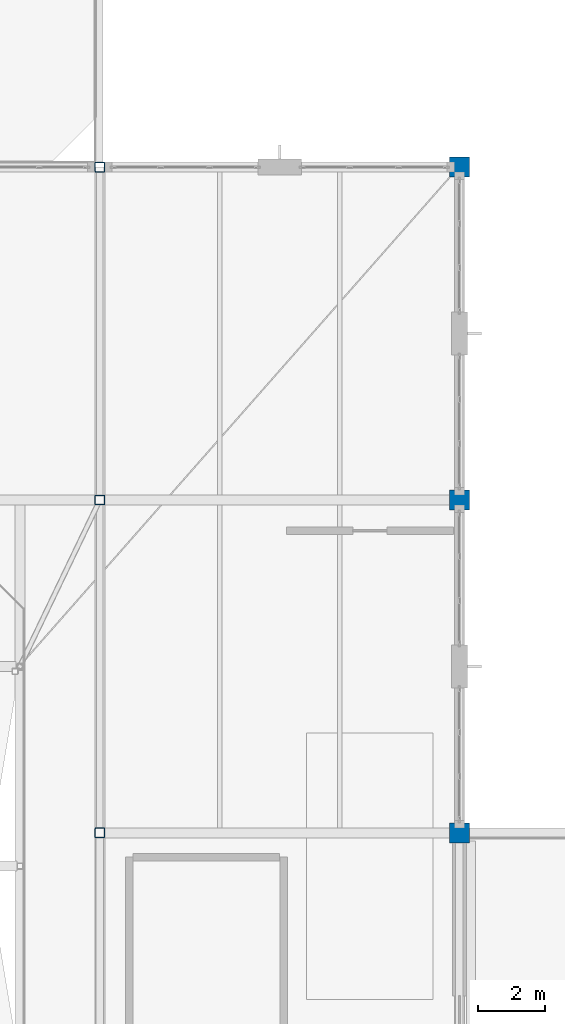
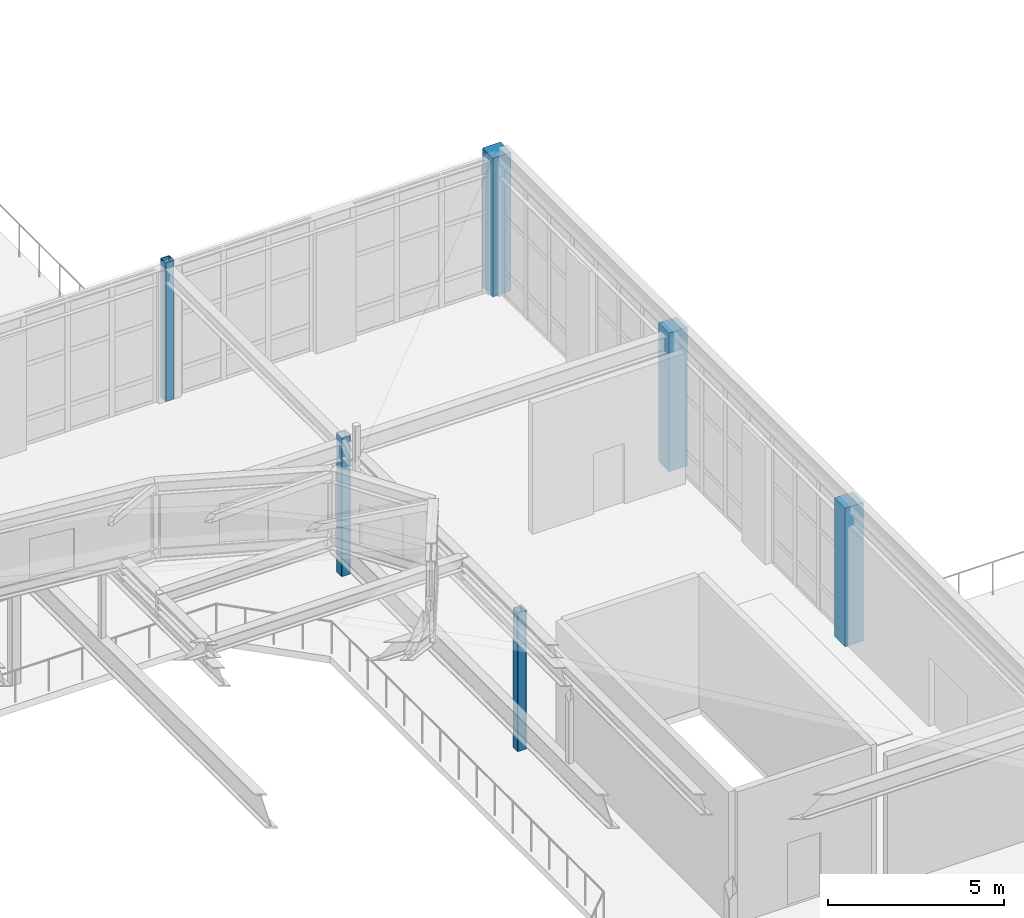
# One storey, part 6 of 86: 6 columns.
"""IFC4 building model written with IfcOpenShell, lengths in metres."""

from ifc_helpers import new_model, si_unit, direction, frame, origin, origin_2d, place, context, subcontext, project, spatial, rectangle, hollow_rectangle, extrude, material, material_profile, profile_set, type_object, element, save


model = new_model("IFC4")

# Units and contexts
model_context = context("Model", 3, precision=1e-05, world=origin(), true_north=direction((0.0, 1.0)))
body_context = subcontext(model_context, "Body", "Model", "MODEL_VIEW")
ifc_project = project(units=[si_unit("LENGTHUNIT", "METRE"), si_unit("AREAUNIT", "SQUARE_METRE"), si_unit("VOLUMEUNIT", "CUBIC_METRE"), si_unit("PLANEANGLEUNIT", "RADIAN"), si_unit("MASSUNIT", "GRAM", prefix="KILO")], contexts=[model_context])

# Site, building, storey
site_placement = place(None, origin())
site = spatial("IfcSite", under=ifc_project, at=site_placement, CompositionType="ELEMENT")
building_placement = place(site_placement, origin())
building = spatial("IfcBuilding", under=site, at=building_placement, Name="Tasgan Crest Museum", CompositionType="ELEMENT")
storey_placement = place(building_placement, frame((0.0, 0.0, 24.0)))
storey = spatial("IfcBuildingStorey", under=building, at=storey_placement, Name="L04", CompositionType="ELEMENT", Elevation=24.0)

# Columns
ifc_material_1 = material(Name="Concrete C40/50", Category="concrete")
ifc_material_profile_1 = material_profile(ifc_material_1, rectangle(XDim=0.60009765625, YDim=0.60009765625, at=origin_2d()), Name="RC 600x600")
ifc_profile_set_1 = profile_set([ifc_material_profile_1], Name="Concrete C40/50")
column_type_1 = type_object("IfcColumnType", Name="COL-RC600", PredefinedType="COLUMN", material=ifc_profile_set_1)
for number, where, z_axis, x_axis, name in (
    (1, (108.0, 62.0, 0.0), (0.0, 0.0, 1.0), (1.0, 0.0, 0.0), "Column 11/G L04"),
    (2, (108.0, 72.0, 0.0), (0.0, 0.0, 1.0), (1.0, 0.0, 0.0), "Column 11/H L04"),
    (3, (108.0, 82.0, 0.0), (0.0, 0.0, 1.0), (1.0, 0.0, 0.0), "Column 11/J L04"),
):
    element("IfcColumn", number, at=place(storey_placement, frame(where, z_axis=z_axis, x_axis=x_axis)), inside=storey, type_object=column_type_1, Name=name, PredefinedType="COLUMN", context=body_context, shape_type="SweptSolid", body=[
        extrude(rectangle(XDim=0.60009765625, YDim=0.60009765625, at=origin_2d()), origin(), (0.0, 0.0, 1.0), 4.800048828125),
    ])
ifc_material_2 = material(Name="Steel S355K2", Category="steel")
ifc_material_profile_2 = material_profile(ifc_material_2, hollow_rectangle(XDim=0.300048828125, YDim=0.300048828125, WallThickness=0.01611328125, InnerFilletRadius=0.01611328125, OuterFilletRadius=0.031982421875, at=origin_2d()), Name="SHS 300x300x16")
ifc_profile_set_2 = profile_set([ifc_material_profile_2], Name="Steel S355K2")
column_type_2 = type_object("IfcColumnType", Name="COL-SHS300", PredefinedType="COLUMN", material=ifc_profile_set_2)
for number, where, z_axis, x_axis, name in (
    (4, (97.199951171875, 62.0, 0.0), (0.0, 0.0, 1.0), (1.0, 0.0, 0.0), "Column 10/G L04"),
    (5, (97.199951171875, 72.0, 0.0), (0.0, 0.0, 1.0), (1.0, 0.0, 0.0), "Column 10/H L04"),
    (6, (97.199951171875, 82.0, 0.0), (0.0, 0.0, 1.0), (1.0, 0.0, 0.0), "Column 10/J L04"),
):
    element("IfcColumn", number, at=place(storey_placement, frame(where, z_axis=z_axis, x_axis=x_axis)), inside=storey, type_object=column_type_2, Name=name, PredefinedType="COLUMN", context=body_context, shape_type="SweptSolid", body=[
        extrude(hollow_rectangle(XDim=0.300048828125, YDim=0.300048828125, WallThickness=0.01611328125, InnerFilletRadius=0.01611328125, OuterFilletRadius=0.031982421875, at=origin_2d()), origin(), (0.0, 0.0, 1.0), 4.800048828125),
    ])

save(model, "model.ifc")
